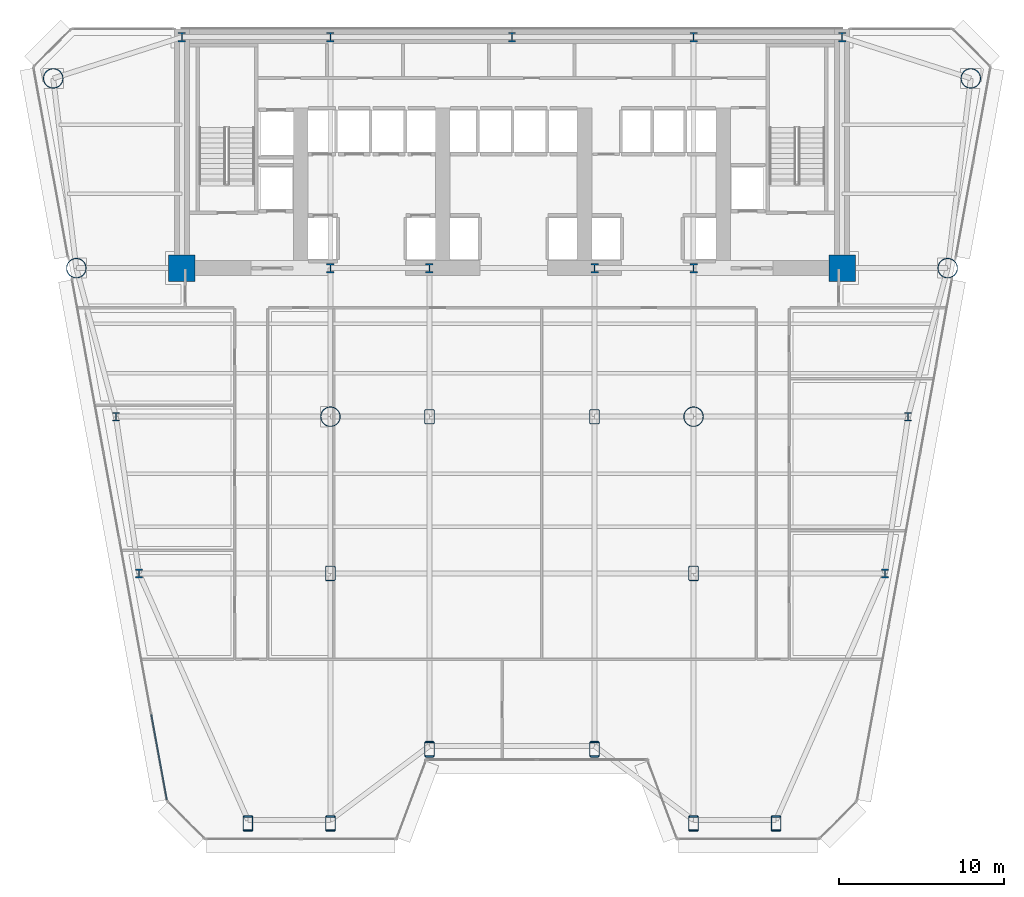
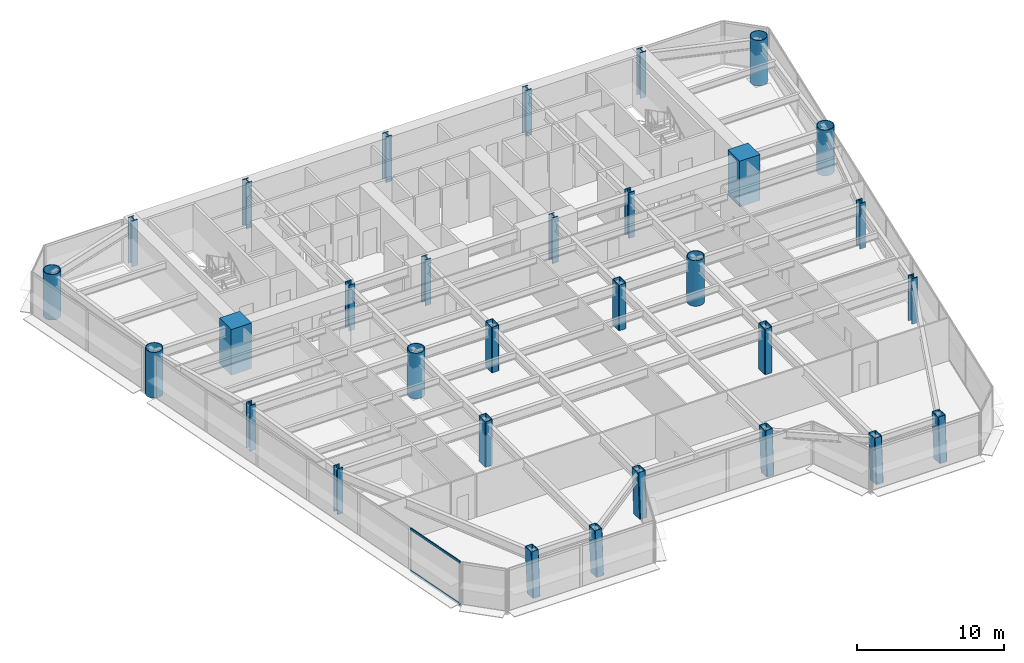
# One storey, part 1 of 14: 31 columns, 2 members, 1 element without a shape of its own.
"""IFC4 building model written with IfcOpenShell, lengths in metres."""

from ifc_helpers import new_model, si_unit, direction, frame, origin, origin_2d, place, context, subcontext, project, spatial, rectangle, hollow_rectangle, hollow_circle, i_section, extrude, source, transform, mapped, material, layer, layer_set, material_profile, profile_set, type_object, element, aggregate, save


model = new_model("IFC4")

# Units and contexts
model_context = context("Model", 3, precision=1e-05, world=origin(), true_north=direction((0.0, 1.0)))
body_context = subcontext(model_context, "Body", "Model", "MODEL_VIEW")
ifc_project = project(units=[si_unit("LENGTHUNIT", "METRE"), si_unit("AREAUNIT", "SQUARE_METRE"), si_unit("VOLUMEUNIT", "CUBIC_METRE"), si_unit("PLANEANGLEUNIT", "RADIAN"), si_unit("MASSUNIT", "GRAM", prefix="KILO")], contexts=[model_context])

# Site, building, storey
site_placement = place(None, origin())
site = spatial("IfcSite", under=ifc_project, at=site_placement, CompositionType="ELEMENT")
building_placement = place(site_placement, origin())
building = spatial("IfcBuilding", under=site, at=building_placement, Name="Vaeldorn Concourse Tower", CompositionType="ELEMENT")
storey_placement = place(building_placement, frame((0.0, 0.0, 49.199951171875)))
storey = spatial("IfcBuildingStorey", under=building, at=storey_placement, Name="L12", CompositionType="ELEMENT", Elevation=49.199951171875)

# Columns
ifc_material_1 = material(Name="Concrete C60/75", Category="concrete")
ifc_material_profile_1 = material_profile(ifc_material_1, rectangle(XDim=1.60009765625, YDim=1.60009765625, at=origin_2d()), Name="RC 1600x1600")
ifc_profile_set_1 = profile_set([ifc_material_profile_1], Name="Concrete C60/75")
column_type_1 = type_object("IfcColumnType", Name="COL-RC1600", PredefinedType="COLUMN", material=ifc_profile_set_1)
shared_shape_1 = source(origin(), body_context, "Body", "SweptSolid", [
    extrude(rectangle(XDim=1.60009765625, YDim=1.60009765625, at=origin_2d()), origin(), (0.0, 0.0, 1.0), 3.800048828125),
])
for number, where, z_axis, x_axis, name in (
    (1, (14.0, 36.5, 0.0), (0.0, 0.0, 1.0), (1.0, 0.0, 0.0), "Column C-FC1 L12"),
    (2, (54.0, 36.5, 0.0), (0.0, 0.0, 1.0), (1.0, 0.0, 0.0), "Column C-FC6 L12"),
):
    element("IfcColumn", number, at=place(storey_placement, frame(where, z_axis=z_axis, x_axis=x_axis)), inside=storey, type_object=column_type_1, Name=name, PredefinedType="COLUMN", context=body_context, shape_type="MappedRepresentation", body=[
        mapped(shared_shape_1, transform((0.0, 0.0, 0.0), scale=1.0)),
    ])
ifc_material_2 = material(Name="Steel S460", Category="steel")
ifc_material_profile_2 = material_profile(ifc_material_2, i_section(OverallWidth=0.4541015625, OverallDepth=0.569091796875, WebThickness=0.077880859375, FlangeThickness=0.080078125, FilletRadius=0.014892578125, at=origin_2d()), Name="HD 400x1086")
ifc_profile_set_2 = profile_set([ifc_material_profile_2], Name="Steel S460")
column_type_2 = type_object("IfcColumnType", Name="COL-HD1086", PredefinedType="COLUMN", material=ifc_profile_set_2)
shared_shape_2 = source(origin(), body_context, "Body", "SweptSolid", [
    extrude(i_section(OverallWidth=0.4541015625, OverallDepth=0.569091796875, WebThickness=0.077880859375, FlangeThickness=0.080078125, FilletRadius=0.014892578125, at=origin_2d()), origin(), (0.0, 0.0, 1.0), 3.800048828125),
])
for number, where, z_axis, x_axis, name in (
    (3, (23.0, 36.5, 0.0), (0.0, 0.0, 1.0), (1.0, 0.0, 0.0), "Column C-FC2 L12"),
    (4, (29.0, 36.5, 0.0), (0.0, 0.0, 1.0), (1.0, 0.0, 0.0), "Column C-FC3 L12"),
    (5, (39.0, 36.5, 0.0), (0.0, 0.0, 1.0), (1.0, 0.0, 0.0), "Column C-FC4 L12"),
    (6, (45.0, 36.5, 0.0), (0.0, 0.0, 1.0), (1.0, 0.0, 0.0), "Column C-FC5 L12"),
    (7, (14.0, 50.5, 0.0), (0.0, 0.0, 1.0), (1.0, 0.0, 0.0), "Column C-HC1 L12"),
    (8, (23.0, 50.5, 0.0), (0.0, 0.0, 1.0), (1.0, 0.0, 0.0), "Column C-HC2 L12"),
    (9, (34.0, 50.5, 0.0), (0.0, 0.0, 1.0), (1.0, 0.0, 0.0), "Column C-HC3 L12"),
    (10, (45.0, 50.5, 0.0), (0.0, 0.0, 1.0), (1.0, 0.0, 0.0), "Column C-HC4 L12"),
    (11, (54.0, 50.5, 0.0), (0.0, 0.0, 1.0), (1.0, 0.0, 0.0), "Column C-HC5 L12"),
):
    element("IfcColumn", number, at=place(storey_placement, frame(where, z_axis=z_axis, x_axis=x_axis)), inside=storey, type_object=column_type_2, Name=name, PredefinedType="COLUMN", context=body_context, shape_type="MappedRepresentation", body=[
        mapped(shared_shape_2, transform((0.0, 0.0, 0.0), scale=1.0)),
    ])
ifc_material_profile_3 = material_profile(ifc_material_2, hollow_circle(Radius=0.609619140625, WallThickness=0.050048828125, at=origin_2d()), Name="CHS 1219x50")
ifc_profile_set_3 = profile_set([ifc_material_profile_3], Name="Steel S460")
column_type_3 = type_object("IfcColumnType", Name="COL-CHS1219", PredefinedType="COLUMN", material=ifc_profile_set_3)
shared_shape_3 = source(origin(), body_context, "Body", "SweptSolid", [
    extrude(hollow_circle(Radius=0.609619140625, WallThickness=0.050048828125, at=origin_2d()), origin(), (0.0, 0.0, 1.0), 3.800048828125),
])
for number, where, z_axis, x_axis, name in (
    (12, (6.199951171875, 48.0, 0.0), (0.0, 0.0, 1.0), (1.0, 0.0, 0.0), "Column C-NW1 L12"),
    (13, (7.60009765625, 36.5, 0.0), (0.0, 0.0, 1.0), (1.0, 0.0, 0.0), "Column C-NW2 L12"),
    (14, (61.800048828125, 48.0, 0.0), (0.0, 0.0, 1.0), (1.0, 0.0, 0.0), "Column C-NE1 L12"),
    (15, (60.39990234375, 36.5, 0.0), (0.0, 0.0, 1.0), (1.0, 0.0, 0.0), "Column C-NE2 L12"),
    (16, (23.0, 27.5, 0.0), (0.0, 0.0, 1.0), (1.0, 0.0, 0.0), "Column C-TW1 L12"),
    (17, (45.0, 27.5, 0.0), (0.0, 0.0, 1.0), (1.0, 0.0, 0.0), "Column C-TW4 L12"),
):
    element("IfcColumn", number, at=place(storey_placement, frame(where, z_axis=z_axis, x_axis=x_axis)), inside=storey, type_object=column_type_3, Name=name, PredefinedType="COLUMN", context=body_context, shape_type="MappedRepresentation", body=[
        mapped(shared_shape_3, transform((0.0, 0.0, 0.0), scale=1.0)),
    ])
ifc_material_profile_4 = material_profile(ifc_material_2, i_section(OverallWidth=0.44189453125, OverallDepth=0.531005859375, WebThickness=0.06494140625, FlangeThickness=0.075927734375, FilletRadius=0.014892578125, at=origin_2d()), Name="HD 400x900")
ifc_profile_set_4 = profile_set([ifc_material_profile_4], Name="Steel S460")
column_type_4 = type_object("IfcColumnType", Name="COL-HD900F", PredefinedType="COLUMN", material=ifc_profile_set_4)
shared_shape_4 = source(origin(), body_context, "Body", "SweptSolid", [
    extrude(i_section(OverallWidth=0.44189453125, OverallDepth=0.531005859375, WebThickness=0.06494140625, FlangeThickness=0.075927734375, FilletRadius=0.014892578125, at=origin_2d()), origin(), (0.0, 0.0, 1.0), 3.800048828125),
])
for number, where, z_axis, x_axis, name in (
    (18, (10.0, 27.5, 0.0), (0.0, 0.0, 1.0), (1.0, 0.0, 0.0), "Column C-FLW1 L12"),
    (19, (11.39990234375, 18.0, 0.0), (0.0, 0.0, 1.0), (1.0, 0.0, 0.0), "Column C-FLW2 L12"),
    (20, (58.0, 27.5, 0.0), (0.0, 0.0, 1.0), (1.0, 0.0, 0.0), "Column C-FLE1 L12"),
    (21, (56.60009765625, 18.0, 0.0), (0.0, 0.0, 1.0), (1.0, 0.0, 0.0), "Column C-FLE2 L12"),
):
    element("IfcColumn", number, at=place(storey_placement, frame(where, z_axis=z_axis, x_axis=x_axis)), inside=storey, type_object=column_type_4, Name=name, PredefinedType="COLUMN", context=body_context, shape_type="MappedRepresentation", body=[
        mapped(shared_shape_4, transform((0.0, 0.0, 0.0), scale=1.0)),
    ])
ifc_material_profile_5 = material_profile(ifc_material_2, hollow_rectangle(XDim=0.60009765625, YDim=0.89990234375, WallThickness=0.0400390625, InnerFilletRadius=0.0400390625, OuterFilletRadius=0.080078125, at=origin_2d()), Name="RHS 900x600x40")
ifc_profile_set_5 = profile_set([ifc_material_profile_5], Name="Steel S460")
column_type_5 = type_object("IfcColumnType", Name="COL-RHS900", PredefinedType="COLUMN", material=ifc_profile_set_5)
shared_shape_5 = source(origin(), body_context, "Body", "SweptSolid", [
    extrude(hollow_rectangle(XDim=0.60009765625, YDim=0.89990234375, WallThickness=0.0400390625, InnerFilletRadius=0.0400390625, OuterFilletRadius=0.080078125, at=origin_2d()), origin(), (0.0, 0.0, 1.0), 3.800048828125),
])
for number, where, z_axis, x_axis, name in (
    (22, (29.0, 27.5, 0.0), (0.0, 0.0, 1.0), (1.0, 0.0, 0.0), "Column C-TW2 L12"),
    (23, (39.0, 27.5, 0.0), (0.0, 0.0, 1.0), (1.0, 0.0, 0.0), "Column C-TW3 L12"),
    (24, (23.0, 18.0, 0.0), (0.0, 0.0, 1.0), (1.0, 0.0, 0.0), "Column C-TW5 L12"),
    (25, (45.0, 18.0, 0.0), (0.0, 0.0, 1.0), (1.0, 0.0, 0.0), "Column C-TW6 L12"),
):
    element("IfcColumn", number, at=place(storey_placement, frame(where, z_axis=z_axis, x_axis=x_axis)), inside=storey, type_object=column_type_5, Name=name, PredefinedType="COLUMN", context=body_context, shape_type="MappedRepresentation", body=[
        mapped(shared_shape_5, transform((0.0, 0.0, 0.0), scale=1.0)),
    ])
shared_shape_6 = source(origin(), body_context, "Body", "SweptSolid", [
    extrude(hollow_rectangle(XDim=0.60009765625, YDim=0.89990234375, WallThickness=0.0400390625, InnerFilletRadius=0.0400390625, OuterFilletRadius=0.080078125, at=origin_2d()), origin(), (0.0, 0.0, 1.0), 3.74365234375),
])
for number, where, z_axis, x_axis, name in (
    (26, (18.0, 2.8125, 0.031982421875), (0.0, 0.063908817043, 0.997955742057), (-1.0, 0.0, 0.0), "Column C-SF1 L12"),
    (27, (23.0, 2.8125, 0.031982421875), (0.0, 0.063908817043, 0.997955742057), (-1.0, 0.0, 0.0), "Column C-SF2 L12"),
    (28, (29.0, 7.3125, 0.031982421875), (0.0, 0.063908817043, 0.997955742057), (-1.0, 0.0, 0.0), "Column C-SF3 L12"),
    (29, (39.0, 7.3125, 0.031982421875), (0.0, 0.063908817043, 0.997955742057), (-1.0, 0.0, 0.0), "Column C-SF4 L12"),
    (30, (45.0, 2.8125, 0.031982421875), (0.0, 0.063908817043, 0.997955742057), (-1.0, 0.0, 0.0), "Column C-SF5 L12"),
    (31, (50.0, 2.8125, 0.031982421875), (0.0, 0.063908817043, 0.997955742057), (-1.0, 0.0, 0.0), "Column C-SF6 L12"),
):
    element("IfcColumn", number, at=place(storey_placement, frame(where, z_axis=z_axis, x_axis=x_axis)), inside=storey, type_object=column_type_5, Name=name, PredefinedType="COLUMN", context=body_context, shape_type="MappedRepresentation", body=[
        mapped(shared_shape_6, transform((0.0, 0.0, 0.0), scale=1.0)),
    ])

# Curtain wall, members
ifc_material_3 = material(Name="Anodised Bronze Aluminium", Category="aluminium")
ifc_layer = layer(ifc_material_3, 0.219970703125)
ifc_layer_set = layer_set([ifc_layer], Name="Anodised Bronze Aluminium")
curtain_wall_type = type_object("IfcCurtainWallType", Name="CW-SYS-01", PredefinedType="NOTDEFINED", material=ifc_layer_set)
curtain_wall_placement = place(storey_placement, origin())
curtain_wall = element("IfcCurtainWall", 32, at=curtain_wall_placement, inside=storey, type_object=curtain_wall_type, Name="Unitised Curtain Wall CW-L12-E11-2", PredefinedType="NOTDEFINED")
ifc_material_profile_6 = material_profile(ifc_material_3, rectangle(XDim=0.074951171875, YDim=0.179931640625, at=origin_2d()), Name="CWT 75x180")
ifc_profile_set_6 = profile_set([ifc_material_profile_6], Name="Anodised Bronze Aluminium")
member_type = type_object("IfcMemberType", Name="CWT-BRONZE-180", PredefinedType="USERDEFINED", material=ifc_profile_set_6)
shared_shape_7 = source(origin(), body_context, "Body", "SweptSolid", [
    extrude(rectangle(XDim=0.074951171875, YDim=0.179931640625, at=origin_2d()), origin(), (0.0, 0.0, 1.0), 5.252197265625),
])
member_1_placement = place(storey_placement, frame((12.145263671875, 9.45361328125, 0.03759765625), z_axis=(0.179102234485, -0.983830467917, 0.0), x_axis=(0.983830467917, 0.179102234485, 0.0)))
member_1 = element("IfcMember", 33, at=member_1_placement, type_object=member_type, Name="CW-01 transom 6.1", ObjectType="TRANSOM", PredefinedType="USERDEFINED", context=body_context, shape_type="MappedRepresentation", body=[
    mapped(shared_shape_7, transform((0.0, 0.0, 0.0), scale=1.0)),
])
member_2_placement = place(storey_placement, frame((12.145263671875, 9.45361328125, 3.54248046875), z_axis=(0.179102234485, -0.983830467917, 0.0), x_axis=(0.983830467917, 0.179102234485, 0.0)))
member_2 = element("IfcMember", 34, at=member_2_placement, type_object=member_type, Name="CW-01 transom 6.2", ObjectType="TRANSOM", PredefinedType="USERDEFINED", context=body_context, shape_type="MappedRepresentation", body=[
    mapped(shared_shape_7, transform((0.0, 0.0, 0.0), scale=1.0)),
])
aggregate(curtain_wall, [member_1, member_2])

save(model, "model.ifc")
